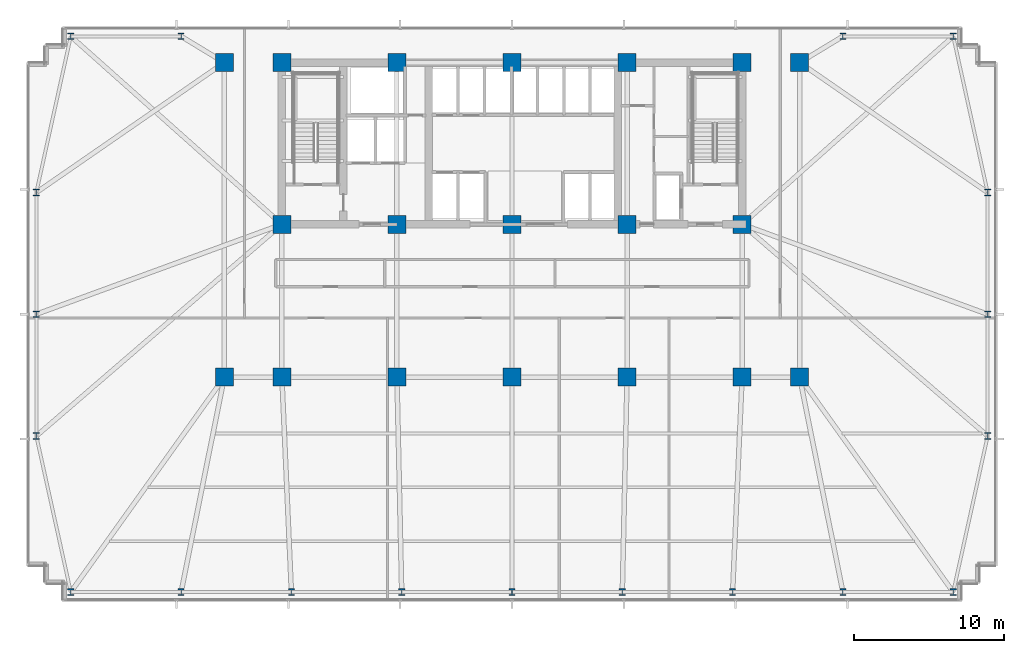
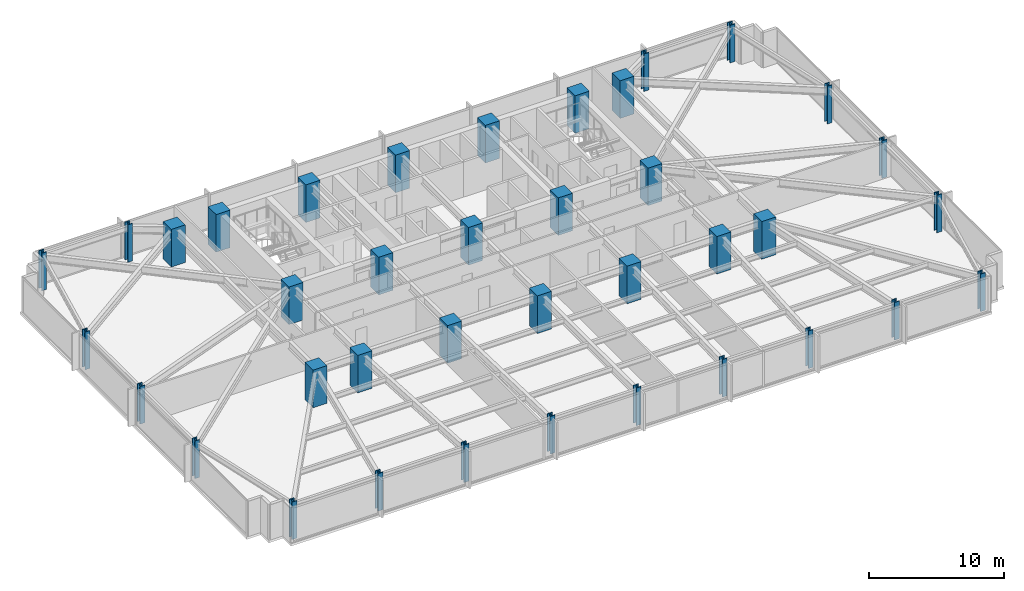
# One storey, part 1 of 33: 38 columns.
"""IFC4 building model written with IfcOpenShell, lengths in metres."""

import ifcopenshell
import ifcopenshell.guid

model = None  # the IFC model being written
_history = None  # IfcOwnerHistory: only IFC2X3 demands one
_inside = {}  # id of a spatial element -> (the spatial element, [elements in it])
_under = {}  # id of a project, library or spatial element -> (it, [spatial elements below it])
_declared = {}  # id of a project -> (the project, [libraries it declares])
_typed = {}  # id of a type object -> (the type object, [elements of that type])
_made_of = {}  # id of a material, layer set ... -> (it, [elements and type objects made of it])


def new_model(schema):
    """Start an empty IFC model of exactly this schema.

    Asked for "IFC4X3", IfcOpenShell would pick the latest addendum, in which some entities
    have other attributes; the version numbers below select the first issue.
    IFC2X3 requires an IfcOwnerHistory on every rooted entity: one is made here for all.
    """
    global model, _history
    if schema == "IFC4X3":
        model = ifcopenshell.file(schema_version=(4, 3, 0, 0))
    else:
        model = ifcopenshell.file(schema=schema)
    _inside.clear()
    _under.clear()
    _declared.clear()
    _typed.clear()
    _made_of.clear()
    _history = None
    if model.schema == "IFC2X3":
        org = make("IfcOrganization", Name="unknown")
        user = make(
            "IfcPersonAndOrganization",
            ThePerson=make("IfcPerson", FamilyName="unknown"),
            TheOrganization=org,
        )
        app = make(
            "IfcApplication",
            ApplicationDeveloper=org,
            Version="unknown",
            ApplicationFullName="unknown",
            ApplicationIdentifier="unknown",
        )
        _history = make(
            "IfcOwnerHistory",
            OwningUser=user,
            OwningApplication=app,
            ChangeAction="ADDED",
            CreationDate=0,
        )
    return model


def make(cls, **values):
    """One entity of the class cls with the attributes given. An attribute that is None is left unset."""
    return model.create_entity(
        cls, **{name: value for name, value in values.items() if value is not None}
    )


def rooted(cls, **values):
    """An entity with a GlobalId (a new one), such as an element, a storey or a relation."""
    return make(cls, GlobalId=ifcopenshell.guid.new(), OwnerHistory=_history, **values)


def si_unit(unit_type, name, prefix=None):
    """IfcSIUnit, for example si_unit("LENGTHUNIT", "METRE", prefix="MILLI")."""
    return make("IfcSIUnit", UnitType=unit_type, Prefix=prefix, Name=name)


def assignment(units):
    """IfcUnitAssignment: the units of a project."""
    return None if units is None else make("IfcUnitAssignment", Units=units)


def point(xyz):
    """IfcCartesianPoint."""
    return None if xyz is None else make("IfcCartesianPoint", Coordinates=xyz)


def direction(xyz):
    """IfcDirection."""
    return None if xyz is None else make("IfcDirection", DirectionRatios=xyz)


def frame(location, z_axis=None, x_axis=None):
    """IfcAxis2Placement3D, a coordinate frame: its origin and axes. An axis left out is left unset."""
    return make(
        "IfcAxis2Placement3D",
        Location=point(location),
        Axis=direction(z_axis),
        RefDirection=direction(x_axis),
    )


def frame_2d(location, x_axis=None):
    """IfcAxis2Placement2D, a coordinate frame in the plane: its origin and x axis."""
    return make(
        "IfcAxis2Placement2D", Location=point(location), RefDirection=direction(x_axis)
    )


def origin():
    """The frame at (0, 0, 0) with its axes left unset."""
    return frame((0.0, 0.0, 0.0))


def origin_2d():
    """The frame at (0, 0) in the plane with its x axis left unset."""
    return frame_2d((0.0, 0.0))


def place(relative_to, where):
    """IfcLocalPlacement: puts the frame where relative to a parent placement (None: the world)."""
    return make(
        "IfcLocalPlacement", PlacementRelTo=relative_to, RelativePlacement=where
    )


def context(
    kind, dimensions, precision=None, world=None, true_north=None, identifier=None
):
    """IfcGeometricRepresentationContext, for example the 3D "Model" context."""
    return make(
        "IfcGeometricRepresentationContext",
        ContextIdentifier=identifier,
        ContextType=kind,
        CoordinateSpaceDimension=dimensions,
        Precision=precision,
        WorldCoordinateSystem=world,
        TrueNorth=true_north,
    )


def subcontext(parent, identifier, kind, view, scale=None):
    """IfcGeometricRepresentationSubContext, for example "Body" below "Model"."""
    return make(
        "IfcGeometricRepresentationSubContext",
        ContextIdentifier=identifier,
        ContextType=kind,
        ParentContext=parent,
        TargetScale=scale,
        TargetView=view,
    )


def project(units=None, contexts=None):
    """IfcProject with its units and contexts."""
    return rooted(
        "IfcProject",
        Name="project",
        RepresentationContexts=contexts,
        UnitsInContext=assignment(units),
    )


def spatial(cls, under=None, at=None, **own):
    """A site, building, storey or space (cls), placed at a placement, below another one or the project."""
    s = rooted(cls, ObjectPlacement=at, **own)
    if under is not None:
        _under.setdefault(under.id(), (under, []))[1].append(s)
    return s


def profile(cls, at=None, kind="AREA", **sizes):
    """A parametric profile (cls). Its sizes go by their IFC names, for example OverallWidth=200.0."""
    return make(cls, ProfileType=kind, Position=at, **sizes)


def rectangle(**sizes):
    """IfcRectangleProfileDef."""
    return profile("IfcRectangleProfileDef", **sizes)


def i_section(**sizes):
    """IfcIShapeProfileDef."""
    return profile("IfcIShapeProfileDef", **sizes)


def extrude(swept, where, along, depth):
    """IfcExtrudedAreaSolid: the profile swept, set in the frame where, extruded along a direction by depth."""
    return make(
        "IfcExtrudedAreaSolid",
        SweptArea=swept,
        Position=where,
        ExtrudedDirection=direction(along),
        Depth=depth,
    )


def shape(context_of_items, identifier, shape_type, items):
    """IfcShapeRepresentation: the items that make up one representation, for example the "Body"."""
    return make(
        "IfcShapeRepresentation",
        ContextOfItems=context_of_items,
        RepresentationIdentifier=identifier,
        RepresentationType=shape_type,
        Items=items,
    )


def material(Name=None, Category=None):
    """IfcMaterial."""
    return make("IfcMaterial", Name=Name, Category=Category)


def material_profile(
    of_material, cross_section, Name=None, Category=None, Priority=None
):
    """IfcMaterialProfile: a cross section and its material."""
    return make(
        "IfcMaterialProfile",
        Name=Name,
        Material=of_material,
        Profile=cross_section,
        Priority=Priority,
        Category=Category,
    )


def profile_set(profiles, Name=None, composite=None):
    """IfcMaterialProfileSet."""
    return make(
        "IfcMaterialProfileSet",
        Name=Name,
        MaterialProfiles=profiles,
        CompositeProfile=composite,
    )


def made_of(thing, what):
    """Note that an element or type object is made of a material, layer set ...; save() writes the relation."""
    if what is not None:
        _made_of.setdefault(what.id(), (what, []))[1].append(thing)
    return thing


def type_object(cls, material=None, **own):
    """A type object (cls), such as IfcWallType, which elements share."""
    return made_of(rooted(cls, **own), material)


def element(
    cls,
    number,
    at=None,
    inside=None,
    cuts=None,
    type_object=None,
    material=None,
    context=None,
    identifier="Body",
    shape_type=None,
    held_by="IfcProductDefinitionShape",
    body=None,
    shapes=None,
    **own,
):
    """One element of the class cls, such as IfcWall. Its Tag is "e" and its number.

    at: its placement. inside: the storey or other place that contains it. cuts: it is an
    opening in that element (IfcRelVoidsElement). A single representation is given by context,
    identifier, shape_type and body (its items); several are given by shapes. held_by: the class
    of the entity that holds the representations. save() writes the other relations.
    """
    e = rooted(cls, Tag="e%d" % number, ObjectPlacement=at, **own)
    if body is not None:
        shapes = [shape(context, identifier, shape_type, body)]
    if shapes is not None:
        e.Representation = make(held_by, Representations=shapes)
    if inside is not None:
        _inside.setdefault(inside.id(), (inside, []))[1].append(e)
    if cuts is not None:
        rooted(
            "IfcRelVoidsElement", RelatingBuildingElement=cuts, RelatedOpeningElement=e
        )
    if type_object is not None:
        _typed.setdefault(type_object.id(), (type_object, []))[1].append(e)
    return made_of(e, material)


def aggregate(whole, parts):
    """IfcRelAggregates: a whole, such as a stair, and the parts it consists of."""
    return rooted("IfcRelAggregates", RelatingObject=whole, RelatedObjects=parts)


def save(model, path):
    """Write the relations noted so far, then the file.

    IfcRelAggregates (storeys below a building ...), IfcRelContainedInSpatialStructure (elements
    in a storey), IfcRelDefinesByType, IfcRelAssociatesMaterial and IfcRelDeclares: one each for
    every whole, place, type object, material and project.
    """
    for whole, parts in _under.values():
        aggregate(whole, parts)
    for where, things in _inside.values():
        rooted(
            "IfcRelContainedInSpatialStructure",
            RelatedElements=things,
            RelatingStructure=where,
        )
    for kind, things in _typed.values():
        rooted("IfcRelDefinesByType", RelatedObjects=things, RelatingType=kind)
    for what, things in _made_of.values():
        rooted("IfcRelAssociatesMaterial", RelatedObjects=things, RelatingMaterial=what)
    for by, libraries in _declared.values():
        rooted("IfcRelDeclares", RelatingContext=by, RelatedDefinitions=libraries)
    model.write(path)


model = new_model("IFC4")

# Units and contexts
model_context = context("Model", 3, precision=1e-05, world=origin(), true_north=direction((0.0, 1.0)))
body_context = subcontext(model_context, "Body", "Model", "MODEL_VIEW")
ifc_project = project(units=[si_unit("LENGTHUNIT", "METRE"), si_unit("AREAUNIT", "SQUARE_METRE"), si_unit("VOLUMEUNIT", "CUBIC_METRE"), si_unit("PLANEANGLEUNIT", "RADIAN"), si_unit("MASSUNIT", "GRAM", prefix="KILO")], contexts=[model_context])

# Site, building, storey
site_placement = place(None, origin())
site = spatial("IfcSite", under=ifc_project, at=site_placement, CompositionType="ELEMENT")
building_placement = place(site_placement, origin())
building = spatial("IfcBuilding", under=site, at=building_placement, Name="Yelkora Congress Tower", CompositionType="ELEMENT")
storey_placement = place(building_placement, frame((0.0, 0.0, 64.39990234375)))
storey = spatial("IfcBuildingStorey", under=building, at=storey_placement, Name="L16", CompositionType="ELEMENT", Elevation=64.39990234375)

# Columns
ifc_material_1 = material(Name="Steel S460M", Category="steel")
ifc_material_profile_1 = material_profile(ifc_material_1, i_section(OverallWidth=0.41796875, OverallDepth=0.455078125, WebThickness=0.0419921875, FlangeThickness=0.068115234375, FilletRadius=0.014892578125, at=origin_2d()), Name="HD 400x551")
ifc_profile_set_1 = profile_set([ifc_material_profile_1], Name="Steel S460M")
column_type_1 = type_object("IfcColumnType", Name="COL-HD-551-EXT", PredefinedType="COLUMN", material=ifc_profile_set_1)
for number, where, z_axis, x_axis, name in (
    (1, (8.949951171875, 10.85009765625, 0.0), (0.0, 0.0, 1.0), (1.0, 0.0, 0.0), "L16 Perimeter Column S01"),
    (2, (16.3125, 10.85009765625, 0.0), (0.0, 0.0, 1.0), (1.0, 0.0, 0.0), "L16 Perimeter Column S02"),
    (3, (23.675048828125, 10.85009765625, 0.0), (0.0, 0.0, 1.0), (1.0, 0.0, 0.0), "L16 Perimeter Column S03"),
    (4, (31.03759765625, 10.85009765625, 0.0), (0.0, 0.0, 1.0), (1.0, 0.0, 0.0), "L16 Perimeter Column S04"),
    (5, (38.39990234375, 10.85009765625, 0.0), (0.0, 0.0, 1.0), (1.0, 0.0, 0.0), "L16 Perimeter Column S05"),
    (6, (45.762451171875, 10.85009765625, 0.0), (0.0, 0.0, 1.0), (1.0, 0.0, 0.0), "L16 Perimeter Column S06"),
    (7, (53.125, 10.85009765625, 0.0), (0.0, 0.0, 1.0), (1.0, 0.0, 0.0), "L16 Perimeter Column S07"),
    (8, (60.487548828125, 10.85009765625, 0.0), (0.0, 0.0, 1.0), (1.0, 0.0, 0.0), "L16 Perimeter Column S08"),
    (9, (67.85009765625, 10.85009765625, 0.0), (0.0, 0.0, 1.0), (1.0, 0.0, 0.0), "L16 Perimeter Column S09"),
    (10, (8.949951171875, 47.949951171875, 0.0), (0.0, 0.0, 1.0), (1.0, 0.0, 0.0), "L16 Perimeter Column N01"),
    (11, (16.3125, 47.949951171875, 0.0), (0.0, 0.0, 1.0), (1.0, 0.0, 0.0), "L16 Perimeter Column N02"),
    (12, (60.487548828125, 47.949951171875, 0.0), (0.0, 0.0, 1.0), (1.0, 0.0, 0.0), "L16 Perimeter Column N08"),
    (13, (67.85009765625, 47.949951171875, 0.0), (0.0, 0.0, 1.0), (1.0, 0.0, 0.0), "L16 Perimeter Column N09"),
    (14, (6.64990234375, 21.27490234375, 0.0), (0.0, 0.0, 1.0), (1.0, 0.0, 0.0), "L16 Perimeter Column W01"),
    (15, (70.14990234375, 21.27490234375, 0.0), (0.0, 0.0, 1.0), (1.0, 0.0, 0.0), "L16 Perimeter Column E01"),
    (16, (6.64990234375, 29.39990234375, 0.0), (0.0, 0.0, 1.0), (1.0, 0.0, 0.0), "L16 Perimeter Column W02"),
    (17, (70.14990234375, 29.39990234375, 0.0), (0.0, 0.0, 1.0), (1.0, 0.0, 0.0), "L16 Perimeter Column E02"),
    (18, (6.64990234375, 37.52490234375, 0.0), (0.0, 0.0, 1.0), (1.0, 0.0, 0.0), "L16 Perimeter Column W03"),
    (19, (70.14990234375, 37.52490234375, 0.0), (0.0, 0.0, 1.0), (1.0, 0.0, 0.0), "L16 Perimeter Column E03"),
):
    element("IfcColumn", number, at=place(storey_placement, frame(where, z_axis=z_axis, x_axis=x_axis)), inside=storey, type_object=column_type_1, Name=name, PredefinedType="COLUMN", context=body_context, shape_type="SweptSolid", body=[
        extrude(i_section(OverallWidth=0.41796875, OverallDepth=0.455078125, WebThickness=0.0419921875, FlangeThickness=0.068115234375, FilletRadius=0.014892578125, at=origin_2d()), origin(), (0.0, 0.0, 1.0), 3.400146484375),
    ])
ifc_material_2 = material(Name="Concrete C60/75", Category="concrete")
ifc_material_profile_2 = material_profile(ifc_material_2, rectangle(XDim=1.199951171875, YDim=1.199951171875, at=origin_2d()), Name="RC 1200x1200")
ifc_profile_set_2 = profile_set([ifc_material_profile_2], Name="Concrete C60/75")
column_type_2 = type_object("IfcColumnType", Name="COL-RC-1200", PredefinedType="COLUMN", material=ifc_profile_set_2)
for number, where, z_axis, x_axis, name in (
    (20, (23.0400390625, 35.39990234375, 0.0), (0.0, 0.0, 1.0), (1.0, 0.0, 0.0), "L16 Mega Column MC-S1"),
    (21, (23.0400390625, 46.199951171875, 0.0), (0.0, 0.0, 1.0), (1.0, 0.0, 0.0), "L16 Mega Column MC-N1"),
    (22, (23.0400390625, 25.199951171875, 0.0), (0.0, 0.0, 1.0), (1.0, 0.0, 0.0), "L16 Mega Column MC-D1"),
    (23, (30.719970703125, 35.39990234375, 0.0), (0.0, 0.0, 1.0), (1.0, 0.0, 0.0), "L16 Mega Column MC-S2"),
    (24, (30.719970703125, 46.199951171875, 0.0), (0.0, 0.0, 1.0), (1.0, 0.0, 0.0), "L16 Mega Column MC-N2"),
    (25, (30.719970703125, 25.199951171875, 0.0), (0.0, 0.0, 1.0), (1.0, 0.0, 0.0), "L16 Mega Column MC-D2"),
    (26, (38.39990234375, 35.39990234375, 0.0), (0.0, 0.0, 1.0), (1.0, 0.0, 0.0), "L16 Mega Column MC-S3"),
    (27, (38.39990234375, 46.199951171875, 0.0), (0.0, 0.0, 1.0), (1.0, 0.0, 0.0), "L16 Mega Column MC-N3"),
    (28, (38.39990234375, 25.199951171875, 0.0), (0.0, 0.0, 1.0), (1.0, 0.0, 0.0), "L16 Mega Column MC-D3"),
    (29, (46.080078125, 35.39990234375, 0.0), (0.0, 0.0, 1.0), (1.0, 0.0, 0.0), "L16 Mega Column MC-S4"),
    (30, (46.080078125, 46.199951171875, 0.0), (0.0, 0.0, 1.0), (1.0, 0.0, 0.0), "L16 Mega Column MC-N4"),
    (31, (46.080078125, 25.199951171875, 0.0), (0.0, 0.0, 1.0), (1.0, 0.0, 0.0), "L16 Mega Column MC-D4"),
    (32, (53.760009765625, 35.39990234375, 0.0), (0.0, 0.0, 1.0), (1.0, 0.0, 0.0), "L16 Mega Column MC-S5"),
    (33, (53.760009765625, 46.199951171875, 0.0), (0.0, 0.0, 1.0), (1.0, 0.0, 0.0), "L16 Mega Column MC-N5"),
    (34, (53.760009765625, 25.199951171875, 0.0), (0.0, 0.0, 1.0), (1.0, 0.0, 0.0), "L16 Mega Column MC-D5"),
    (35, (19.199951171875, 25.199951171875, 0.0), (0.0, 0.0, 1.0), (1.0, 0.0, 0.0), "L16 Mega Column MC-F1"),
    (36, (57.60009765625, 25.199951171875, 0.0), (0.0, 0.0, 1.0), (1.0, 0.0, 0.0), "L16 Mega Column MC-F2"),
    (37, (19.199951171875, 46.199951171875, 0.0), (0.0, 0.0, 1.0), (1.0, 0.0, 0.0), "L16 Mega Column MC-F3"),
    (38, (57.60009765625, 46.199951171875, 0.0), (0.0, 0.0, 1.0), (1.0, 0.0, 0.0), "L16 Mega Column MC-F4"),
):
    element("IfcColumn", number, at=place(storey_placement, frame(where, z_axis=z_axis, x_axis=x_axis)), inside=storey, type_object=column_type_2, Name=name, PredefinedType="COLUMN", context=body_context, shape_type="SweptSolid", body=[
        extrude(rectangle(XDim=1.199951171875, YDim=1.199951171875, at=origin_2d()), origin(), (0.0, 0.0, 1.0), 3.400146484375),
    ])

save(model, "model.ifc")
